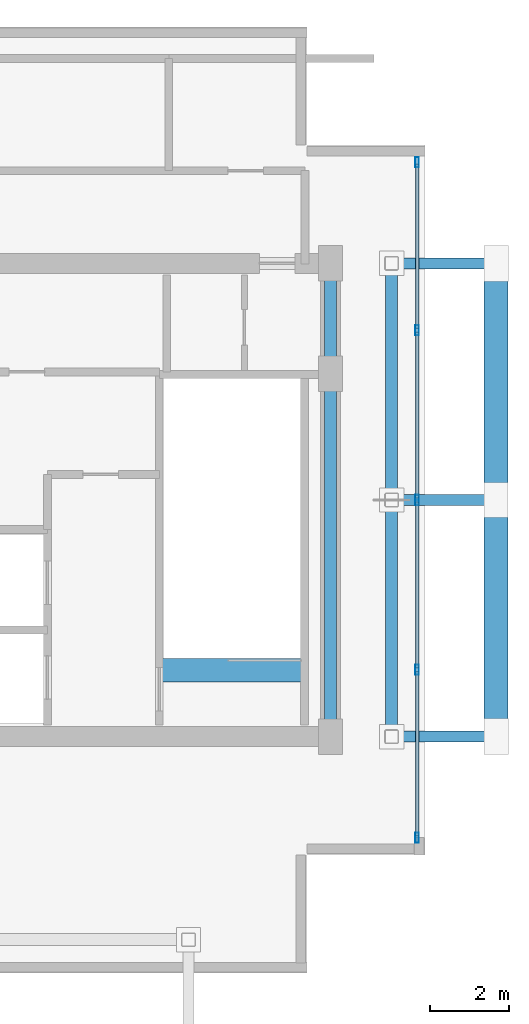
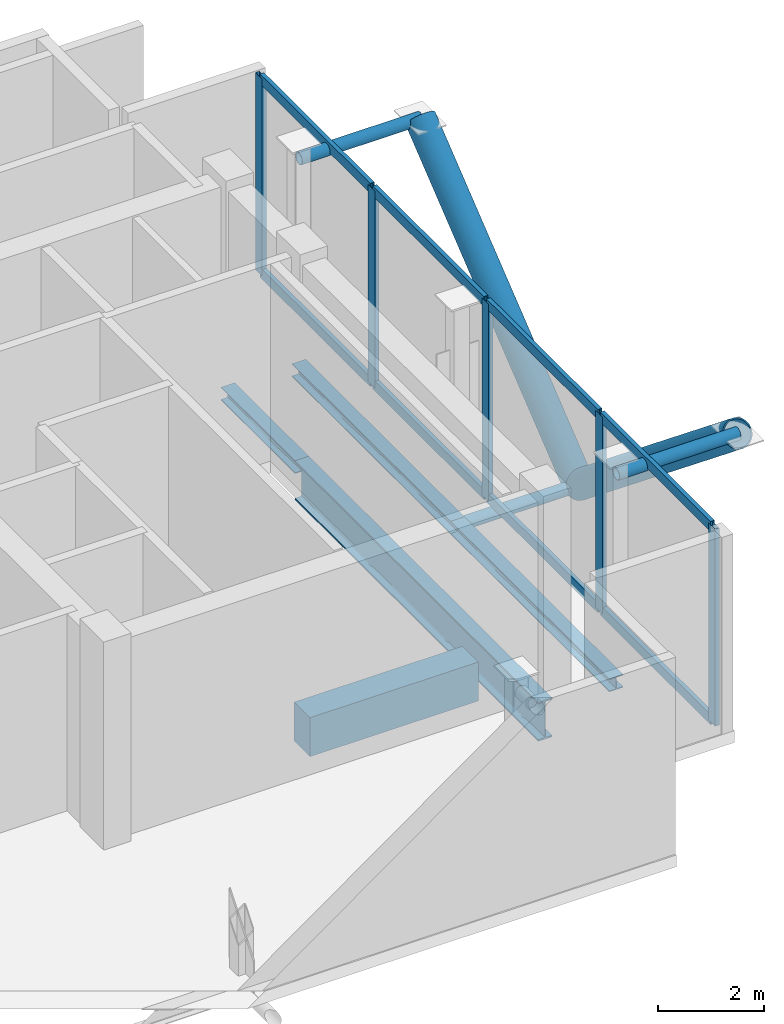
# One storey, part 2 of 6: 18 members, 5 beams, 1 element without a shape of its own.
"""IFC4 building model written with IfcOpenShell, lengths in metres."""

from ifc_helpers import new_model, si_unit, direction, frame, origin, origin_2d, place, context, subcontext, project, spatial, rectangle, hollow_rectangle, hollow_circle, i_section, extrude, material, layer, layer_set, material_profile, profile_set, type_object, element, aggregate, save


model = new_model("IFC4")

# Units and contexts
model_context = context("Model", 3, precision=1e-05, world=origin(), true_north=direction((0.0, 1.0)))
body_context = subcontext(model_context, "Body", "Model", "MODEL_VIEW")
ifc_project = project(units=[si_unit("LENGTHUNIT", "METRE"), si_unit("AREAUNIT", "SQUARE_METRE"), si_unit("VOLUMEUNIT", "CUBIC_METRE"), si_unit("PLANEANGLEUNIT", "RADIAN"), si_unit("MASSUNIT", "GRAM", prefix="KILO"), si_unit("THERMODYNAMICTEMPERATUREUNIT", "KELVIN"), si_unit("POWERUNIT", "WATT")], contexts=[model_context])

# Site, building, storey
site_placement = place(None, origin())
site = spatial("IfcSite", under=ifc_project, at=site_placement, CompositionType="ELEMENT")
building_placement = place(site_placement, origin())
building = spatial("IfcBuilding", under=site, at=building_placement, Name="Svarakhadi Broadcast Tower", CompositionType="ELEMENT")
storey_placement = place(building_placement, frame((0.0, 0.0, 305.699951171875)))
storey = spatial("IfcBuildingStorey", under=building, at=storey_placement, Name="L77", CompositionType="ELEMENT", Elevation=305.699951171875)

# Curtain wall, members
ifc_material_1 = material(Name="Anodised Bronze Aluminium AA 6063-T6", Category="aluminium")
ifc_layer = layer(ifc_material_1, 0.260009765625)
ifc_layer_set = layer_set([ifc_layer], Name="Anodised Bronze Aluminium AA 6063-T6")
curtain_wall_type = type_object("IfcCurtainWallType", Name="CW_Sys_07", PredefinedType="NOTDEFINED", material=ifc_layer_set)
curtain_wall_placement = place(storey_placement, origin())
curtain_wall = element("IfcCurtainWall", 1, at=curtain_wall_placement, inside=storey, type_object=curtain_wall_type, Name="L77 East Plant Daylighting Curtain Wall CW-07", PredefinedType="NOTDEFINED")
ifc_material_profile_1 = material_profile(ifc_material_1, hollow_rectangle(XDim=0.090087890625, YDim=0.260009765625, WallThickness=0.005615234375, at=origin_2d()), Name="ALU MULLION 260x90x6")
ifc_profile_set_1 = profile_set([ifc_material_profile_1], Name="Anodised Bronze Aluminium AA 6063-T6")
member_type_1 = type_object("IfcMemberType", Name="CW_Sys_07_Mul", PredefinedType="MULLION", material=ifc_profile_set_1)
member_1_placement = place(storey_placement, frame((35.800048828125, 20.56494140625, 0.0), z_axis=(0.0, 0.0, 1.0), x_axis=(1.0, 0.0, 0.0)))
member_1 = element("IfcMember", 2, at=member_1_placement, type_object=member_type_1, Name="CW-07 mullion 1", PredefinedType="MULLION", context=body_context, shape_type="SweptSolid", body=[
    extrude(hollow_rectangle(XDim=0.090087890625, YDim=0.260009765625, WallThickness=0.005615234375, at=origin_2d()), origin(), (0.0, 0.0, 1.0), 4.550048828125),
])
member_2_placement = place(storey_placement, frame((35.800048828125, 16.304931640625, 0.0), z_axis=(0.0, 0.0, 1.0), x_axis=(1.0, 0.0, 0.0)))
member_2 = element("IfcMember", 3, at=member_2_placement, type_object=member_type_1, Name="CW-07 mullion 2", PredefinedType="MULLION", context=body_context, shape_type="SweptSolid", body=[
    extrude(hollow_rectangle(XDim=0.090087890625, YDim=0.260009765625, WallThickness=0.005615234375, at=origin_2d()), origin(), (0.0, 0.0, 1.0), 4.550048828125),
])
member_3_placement = place(storey_placement, frame((35.800048828125, 12.0, 0.0), z_axis=(0.0, 0.0, 1.0), x_axis=(1.0, 0.0, 0.0)))
member_3 = element("IfcMember", 4, at=member_3_placement, type_object=member_type_1, Name="CW-07 mullion 3", PredefinedType="MULLION", context=body_context, shape_type="SweptSolid", body=[
    extrude(hollow_rectangle(XDim=0.090087890625, YDim=0.260009765625, WallThickness=0.005615234375, at=origin_2d()), origin(), (0.0, 0.0, 1.0), 4.550048828125),
])
member_4_placement = place(storey_placement, frame((35.800048828125, 7.695068359375, 0.0), z_axis=(0.0, 0.0, 1.0), x_axis=(1.0, 0.0, 0.0)))
member_4 = element("IfcMember", 5, at=member_4_placement, type_object=member_type_1, Name="CW-07 mullion 4", PredefinedType="MULLION", context=body_context, shape_type="SweptSolid", body=[
    extrude(hollow_rectangle(XDim=0.090087890625, YDim=0.260009765625, WallThickness=0.005615234375, at=origin_2d()), origin(), (0.0, 0.0, 1.0), 4.550048828125),
])
member_5_placement = place(storey_placement, frame((35.800048828125, 3.43505859375, 0.0), z_axis=(0.0, 0.0, 1.0), x_axis=(1.0, 0.0, 0.0)))
member_5 = element("IfcMember", 6, at=member_5_placement, type_object=member_type_1, Name="CW-07 mullion 5", PredefinedType="MULLION", context=body_context, shape_type="SweptSolid", body=[
    extrude(hollow_rectangle(XDim=0.090087890625, YDim=0.260009765625, WallThickness=0.005615234375, at=origin_2d()), origin(), (0.0, 0.0, 1.0), 4.550048828125),
])
ifc_material_profile_2 = material_profile(ifc_material_1, hollow_rectangle(XDim=0.090087890625, YDim=0.22998046875, WallThickness=0.0048828125, at=origin_2d()), Name="ALU TRANSOM 230x90x5")
ifc_profile_set_2 = profile_set([ifc_material_profile_2], Name="Anodised Bronze Aluminium AA 6063-T6")
member_type_2 = type_object("IfcMemberType", Name="CW_Sys_07_Trn", PredefinedType="USERDEFINED", material=ifc_profile_set_2)
member_6_placement = place(storey_placement, frame((35.800048828125, 20.52001953125, 0.045166015625), z_axis=(0.0, -1.0, 0.0), x_axis=(1.0, 0.0, 0.0)))
member_6 = element("IfcMember", 7, at=member_6_placement, type_object=member_type_2, Name="CW-07 transom 1.1", ObjectType="TRANSOM", PredefinedType="USERDEFINED", context=body_context, shape_type="SweptSolid", body=[
    extrude(hollow_rectangle(XDim=0.090087890625, YDim=0.22998046875, WallThickness=0.0048828125, at=origin_2d()), origin(), (0.0, 0.0, 1.0), 4.169921875),
])
member_7_placement = place(storey_placement, frame((35.800048828125, 20.52001953125, 4.505126953125), z_axis=(0.0, -1.0, 0.0), x_axis=(1.0, 0.0, 0.0)))
member_7 = element("IfcMember", 8, at=member_7_placement, type_object=member_type_2, Name="CW-07 transom 1.2", ObjectType="TRANSOM", PredefinedType="USERDEFINED", context=body_context, shape_type="SweptSolid", body=[
    extrude(hollow_rectangle(XDim=0.090087890625, YDim=0.22998046875, WallThickness=0.0048828125, at=origin_2d()), origin(), (0.0, 0.0, 1.0), 4.169921875),
])
member_8_placement = place(storey_placement, frame((35.800048828125, 16.260009765625, 0.045166015625), z_axis=(0.0, -1.0, 0.0), x_axis=(1.0, 0.0, 0.0)))
member_8 = element("IfcMember", 9, at=member_8_placement, type_object=member_type_2, Name="CW-07 transom 2.1", ObjectType="TRANSOM", PredefinedType="USERDEFINED", context=body_context, shape_type="SweptSolid", body=[
    extrude(hollow_rectangle(XDim=0.090087890625, YDim=0.22998046875, WallThickness=0.0048828125, at=origin_2d()), origin(), (0.0, 0.0, 1.0), 4.215087890625),
])
member_9_placement = place(storey_placement, frame((35.800048828125, 16.260009765625, 4.505126953125), z_axis=(0.0, -1.0, 0.0), x_axis=(1.0, 0.0, 0.0)))
member_9 = element("IfcMember", 10, at=member_9_placement, type_object=member_type_2, Name="CW-07 transom 2.2", ObjectType="TRANSOM", PredefinedType="USERDEFINED", context=body_context, shape_type="SweptSolid", body=[
    extrude(hollow_rectangle(XDim=0.090087890625, YDim=0.22998046875, WallThickness=0.0048828125, at=origin_2d()), origin(), (0.0, 0.0, 1.0), 4.215087890625),
])
member_10_placement = place(storey_placement, frame((35.800048828125, 11.955078125, 0.045166015625), z_axis=(0.0, -1.0, 0.0), x_axis=(1.0, 0.0, 0.0)))
member_10 = element("IfcMember", 11, at=member_10_placement, type_object=member_type_2, Name="CW-07 transom 3.1", ObjectType="TRANSOM", PredefinedType="USERDEFINED", context=body_context, shape_type="SweptSolid", body=[
    extrude(hollow_rectangle(XDim=0.090087890625, YDim=0.22998046875, WallThickness=0.0048828125, at=origin_2d()), origin(), (0.0, 0.0, 1.0), 4.215087890625),
])
member_11_placement = place(storey_placement, frame((35.800048828125, 11.955078125, 4.505126953125), z_axis=(0.0, -1.0, 0.0), x_axis=(1.0, 0.0, 0.0)))
member_11 = element("IfcMember", 12, at=member_11_placement, type_object=member_type_2, Name="CW-07 transom 3.2", ObjectType="TRANSOM", PredefinedType="USERDEFINED", context=body_context, shape_type="SweptSolid", body=[
    extrude(hollow_rectangle(XDim=0.090087890625, YDim=0.22998046875, WallThickness=0.0048828125, at=origin_2d()), origin(), (0.0, 0.0, 1.0), 4.215087890625),
])
member_12_placement = place(storey_placement, frame((35.800048828125, 7.64990234375, 0.045166015625), z_axis=(0.0, -1.0, 0.0), x_axis=(1.0, 0.0, 0.0)))
member_12 = element("IfcMember", 13, at=member_12_placement, type_object=member_type_2, Name="CW-07 transom 4.1", ObjectType="TRANSOM", PredefinedType="USERDEFINED", context=body_context, shape_type="SweptSolid", body=[
    extrude(hollow_rectangle(XDim=0.090087890625, YDim=0.22998046875, WallThickness=0.0048828125, at=origin_2d()), origin(), (0.0, 0.0, 1.0), 4.169921875),
])
member_13_placement = place(storey_placement, frame((35.800048828125, 7.64990234375, 4.505126953125), z_axis=(0.0, -1.0, 0.0), x_axis=(1.0, 0.0, 0.0)))
member_13 = element("IfcMember", 14, at=member_13_placement, type_object=member_type_2, Name="CW-07 transom 4.2", ObjectType="TRANSOM", PredefinedType="USERDEFINED", context=body_context, shape_type="SweptSolid", body=[
    extrude(hollow_rectangle(XDim=0.090087890625, YDim=0.22998046875, WallThickness=0.0048828125, at=origin_2d()), origin(), (0.0, 0.0, 1.0), 4.169921875),
])
aggregate(curtain_wall, [member_1, member_2, member_3, member_4, member_5, member_6, member_7, member_8, member_9, member_10, member_11, member_12, member_13])

# Beam
ifc_material_2 = material(Name="Concrete C50/60 (IS 456 M60)", Category="concrete")
ifc_material_profile_3 = material_profile(ifc_material_2, rectangle(XDim=0.60009765625, YDim=0.89990234375, at=origin_2d()), Name="RC 600x900")
ifc_profile_set_3 = profile_set([ifc_material_profile_3], Name="Concrete C50/60 (IS 456 M60)")
beam_type_1 = type_object("IfcBeamType", Name="Coupling_RC600", PredefinedType="USERDEFINED", material=ifc_profile_set_3)
beam_1_placement = place(storey_placement, frame((29.260009765625, 7.679931640625, -0.449951171875), z_axis=(1.0, 0.0, 0.0), x_axis=(0.0, 1.0, 0.0)))
element("IfcBeam", 15, at=beam_1_placement, inside=storey, type_object=beam_type_1, Name="L77 Stair ST-02 Landing Throat Trimmer Beam CB-01", ObjectType="GIRDER", PredefinedType="USERDEFINED", context=body_context, shape_type="SweptSolid", body=[
    extrude(rectangle(XDim=0.60009765625, YDim=0.89990234375, at=origin_2d()), origin(), (0.0, 0.0, 1.0), 3.679931640625),
])

# Members
ifc_material_3 = material(Name="Steel S460ML (IS 2062 E450BR)", Category="steel")
ifc_material_profile_4 = material_profile(ifc_material_3, hollow_circle(Radius=0.304931640625, WallThickness=0.030029296875, at=origin_2d()), Name="CHS 610x30")
ifc_profile_set_4 = profile_set([ifc_material_profile_4], Name="Steel S460ML (IS 2062 E450BR)")
member_type_3 = type_object("IfcMemberType", Name="Exo_Brace_CHS610", PredefinedType="BRACE", material=ifc_profile_set_4)
for number, where, z_axis, x_axis, name in (
    (16, (37.800048828125, 12.0, -0.411376953125), (0.0, -0.779285489212, 0.6266690724), (1.0, 0.0, 0.0), "L77 Exposed Bronze Exoskeleton Diagonal E08"),
    (17, (37.800048828125, 12.0, -0.411376953125), (0.0, 0.779285489212, 0.6266690724), (-1.0, 0.0, 0.0), "L77 Exposed Bronze Exoskeleton Diagonal E09"),
):
    element("IfcMember", number, at=place(storey_placement, frame(where, z_axis=z_axis, x_axis=x_axis)), inside=storey, type_object=member_type_3, Name=name, PredefinedType="BRACE", context=body_context, shape_type="SweptSolid", body=[
        extrude(hollow_circle(Radius=0.304931640625, WallThickness=0.030029296875, at=origin_2d()), origin(), (0.0, 0.0, 1.0), 7.699462890625),
    ])
ifc_material_profile_5 = material_profile(ifc_material_3, hollow_circle(Radius=0.136474609375, WallThickness=0.012451171875, at=origin_2d()), Name="CHS 273x12.5")
ifc_profile_set_5 = profile_set([ifc_material_profile_5], Name="Steel S460ML (IS 2062 E450BR)")
member_type_4 = type_object("IfcMemberType", Name="Exo_Radial_Strut_Z3", PredefinedType="STRUT", material=ifc_profile_set_5)
for number, where, z_axis, x_axis, name in (
    (18, (37.800048828125, 12.0, -0.411376953125), (-1.0, 0.0, 0.0), (0.0, -1.0, 0.0), "L77 Exoskeleton Radial Tie Strut E05"),
    (19, (37.800048828125, 6.0, 4.41357421875), (-1.0, 0.0, 0.0), (0.0, -1.0, 0.0), "L77 Exoskeleton Setback Top Radial Tie E00"),
    (20, (37.800048828125, 18.0, 4.41357421875), (-1.0, 0.0, 0.0), (0.0, -1.0, 0.0), "L77 Exoskeleton Setback Top Radial Tie E02"),
):
    element("IfcMember", number, at=place(storey_placement, frame(where, z_axis=z_axis, x_axis=x_axis)), inside=storey, type_object=member_type_4, Name=name, PredefinedType="STRUT", context=body_context, shape_type="SweptSolid", body=[
        extrude(hollow_circle(Radius=0.136474609375, WallThickness=0.012451171875, at=origin_2d()), origin(), (0.0, 0.0, 1.0), 2.650146484375),
    ])

# Beams
ifc_material_4 = material(Name="Steel S355J2 (IS 2062 E350C)", Category="steel")
ifc_material_profile_6 = material_profile(ifc_material_4, i_section(OverallWidth=0.300048828125, OverallDepth=0.300048828125, WebThickness=0.010986328125, FlangeThickness=0.01904296875, FilletRadius=0.027099609375, at=origin_2d()), Name="WPB 300x300x117")
ifc_profile_set_6 = profile_set([ifc_material_profile_6], Name="Steel S355J2 (IS 2062 E350C)")
beam_type_2 = type_object("IfcBeamType", Name="Girder_WPB300", PredefinedType="USERDEFINED", material=ifc_profile_set_6)
beam_2_placement = place(storey_placement, frame((33.60009765625, 15.199951171875, -0.425048828125), z_axis=(0.0, 1.0, 0.0), x_axis=(-1.0, 0.0, 0.0)))
element("IfcBeam", 21, at=beam_2_placement, inside=storey, type_object=beam_type_2, Name="L77 Primary N-S Girder G044", ObjectType="GIRDER", PredefinedType="USERDEFINED", context=body_context, shape_type="SweptSolid", body=[
    extrude(i_section(OverallWidth=0.300048828125, OverallDepth=0.300048828125, WebThickness=0.010986328125, FlangeThickness=0.01904296875, FilletRadius=0.027099609375, at=origin_2d()), origin(), (0.0, 0.0, 1.0), 2.800048828125),
])
for number, where, z_axis, x_axis, name in (
    (22, (35.14990234375, 6.0, -0.425048828125), (0.0, 1.0, 0.0), (-1.0, 0.0, 0.0), "L77 Primary N-S Girder G045"),
    (23, (35.14990234375, 12.0, -0.425048828125), (0.0, 1.0, 0.0), (-1.0, 0.0, 0.0), "L77 Primary N-S Girder G046"),
):
    element("IfcBeam", number, at=place(storey_placement, frame(where, z_axis=z_axis, x_axis=x_axis)), inside=storey, type_object=beam_type_2, Name=name, ObjectType="GIRDER", PredefinedType="USERDEFINED", context=body_context, shape_type="SweptSolid", body=[
        extrude(i_section(OverallWidth=0.300048828125, OverallDepth=0.300048828125, WebThickness=0.010986328125, FlangeThickness=0.01904296875, FilletRadius=0.027099609375, at=origin_2d()), origin(), (0.0, 0.0, 1.0), 6.0),
    ])
ifc_material_profile_7 = material_profile(ifc_material_3, i_section(OverallWidth=0.300048828125, OverallDepth=0.89990234375, WebThickness=0.0185546875, FlangeThickness=0.034912109375, FilletRadius=0.030029296875, at=origin_2d()), Name="WPB 900x300x291")
ifc_profile_set_7 = profile_set([ifc_material_profile_7], Name="Steel S460ML (IS 2062 E450BR)")
beam_type_3 = type_object("IfcBeamType", Name="Girder_WPB900", PredefinedType="USERDEFINED", material=ifc_profile_set_7)
beam_3_placement = place(storey_placement, frame((33.60009765625, 6.0, -0.724853515625), z_axis=(0.0, 1.0, 0.0), x_axis=(-1.0, 0.0, 0.0)))
element("IfcBeam", 24, at=beam_3_placement, inside=storey, type_object=beam_type_3, Name="L77 Primary N-S Girder G043", ObjectType="GIRDER", PredefinedType="USERDEFINED", context=body_context, shape_type="SweptSolid", body=[
    extrude(i_section(OverallWidth=0.300048828125, OverallDepth=0.89990234375, WebThickness=0.0185546875, FlangeThickness=0.034912109375, FilletRadius=0.030029296875, at=origin_2d()), origin(), (0.0, 0.0, 1.0), 9.199951171875),
])

save(model, "model.ifc")
